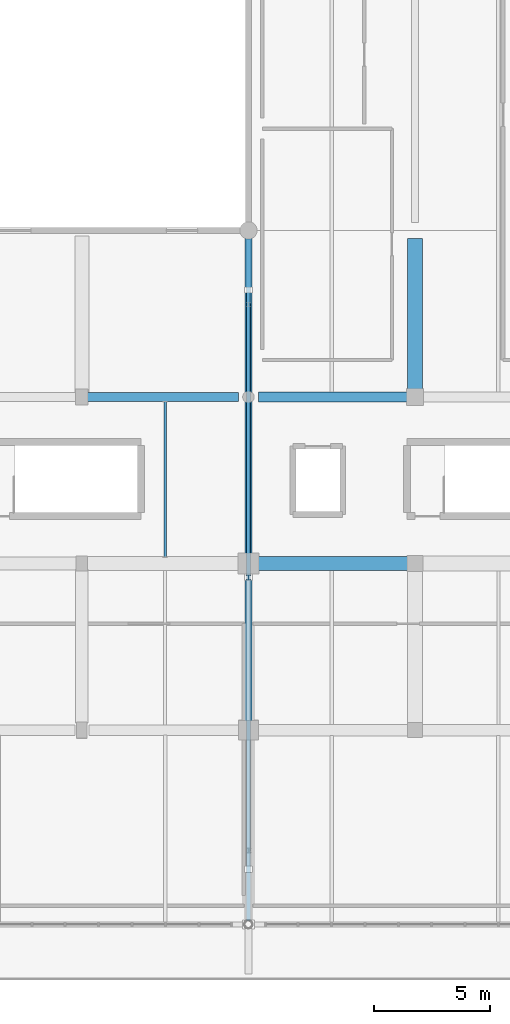
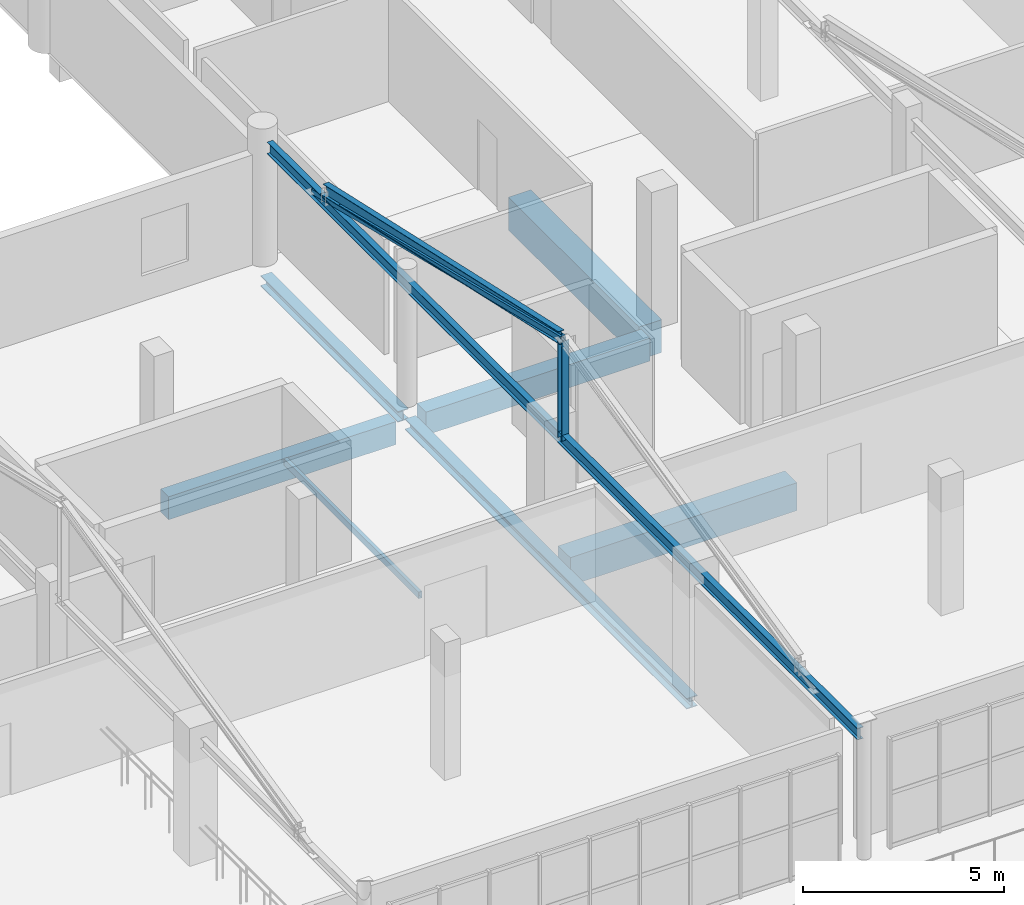
# One storey, part 13 of 41: 9 beams, 2 members.
"""IFC4 building model written with IfcOpenShell, lengths in metres."""

from ifc_helpers import new_model, si_unit, direction, frame, origin, origin_2d, place, context, subcontext, project, spatial, rectangle, hollow_rectangle, i_section, extrude, material, material_profile, profile_set, type_object, element, save


model = new_model("IFC4")

# Units and contexts
model_context = context("Model", 3, precision=1e-05, world=origin(), true_north=direction((0.0, 1.0)))
body_context = subcontext(model_context, "Body", "Model", "MODEL_VIEW")
ifc_project = project(units=[si_unit("LENGTHUNIT", "METRE"), si_unit("AREAUNIT", "SQUARE_METRE"), si_unit("VOLUMEUNIT", "CUBIC_METRE"), si_unit("PLANEANGLEUNIT", "RADIAN"), si_unit("MASSUNIT", "GRAM", prefix="KILO")], contexts=[model_context])

# Site, building, storey
site_placement = place(None, origin())
site = spatial("IfcSite", under=ifc_project, at=site_placement, CompositionType="ELEMENT")
building_placement = place(site_placement, origin())
building = spatial("IfcBuilding", under=site, at=building_placement, Name="Solanera Park Tramway Depot", CompositionType="ELEMENT")
storey_placement = place(building_placement, frame((0.0, 0.0, 13.199951171875)))
storey = spatial("IfcBuildingStorey", under=building, at=storey_placement, Name="L03", CompositionType="ELEMENT", Elevation=13.199951171875)

# Beams
ifc_material_1 = material(Name="Concrete N40 (C40/50)", Category="concrete")
ifc_material_profile_1 = material_profile(ifc_material_1, rectangle(XDim=0.39990234375, YDim=0.699951171875, at=origin_2d()), Name="RCB 400x700")
ifc_profile_set_1 = profile_set([ifc_material_profile_1], Name="Concrete N40 (C40/50)")
beam_type_1 = type_object("IfcBeamType", Name="RC Floor Beam RCB 400x700", PredefinedType="BEAM", material=ifc_profile_set_1)
beam_1_placement = place(storey_placement, frame((158.625, 25.199951171875, -0.678955078125), z_axis=(1.0, 0.0, 0.0), x_axis=(0.0, 1.0, 0.0)))
element("IfcBeam", 1, at=beam_1_placement, inside=storey, type_object=beam_type_1, Name="L03 Primary X-Girder RCB 400x700 #0231", PredefinedType="BEAM", context=body_context, shape_type="SweptSolid", body=[
    extrude(rectangle(XDim=0.39990234375, YDim=0.699951171875, at=origin_2d()), origin(), (0.0, 0.0, 1.0), 6.550048828125),
])
ifc_material_2 = material(Name="Concrete N40 (C40/50)", Category="concrete")
ifc_material_profile_2 = material_profile(ifc_material_2, rectangle(XDim=0.449951171875, YDim=0.699951171875, at=origin_2d()), Name="RCB 450x700")
ifc_profile_set_2 = profile_set([ifc_material_profile_2], Name="Concrete N40 (C40/50)")
beam_type_2 = type_object("IfcBeamType", Name="RC Floor Beam RCB 450x700", PredefinedType="BEAM", material=ifc_profile_set_2)
beam_2_placement = place(storey_placement, frame((166.02490234375, 25.199951171875, -0.678955078125), z_axis=(1.0, 0.0, 0.0), x_axis=(0.0, 1.0, 0.0)))
element("IfcBeam", 2, at=beam_2_placement, inside=storey, type_object=beam_type_2, Name="L03 Primary X-Girder RCB 450x700 #0232", PredefinedType="BEAM", context=body_context, shape_type="SweptSolid", body=[
    extrude(rectangle(XDim=0.449951171875, YDim=0.699951171875, at=origin_2d()), origin(), (0.0, 0.0, 1.0), 6.4501953125),
])
ifc_material_3 = material(Name="Concrete N40 (C40/50)", Category="concrete")
ifc_material_profile_3 = material_profile(ifc_material_3, rectangle(XDim=0.60009765625, YDim=0.85009765625, at=origin_2d()), Name="RCB 600x850")
ifc_profile_set_3 = profile_set([ifc_material_profile_3], Name="Concrete N40 (C40/50)")
beam_type_3 = type_object("IfcBeamType", Name="RC Floor Beam RCB 600x850", PredefinedType="BEAM", material=ifc_profile_set_3)
beam_3_placement = place(storey_placement, frame((165.97509765625, 18.0, -0.75390625), z_axis=(1.0, 0.0, 0.0), x_axis=(0.0, 1.0, 0.0)))
element("IfcBeam", 3, at=beam_3_placement, inside=storey, type_object=beam_type_3, Name="L03 Primary X-Girder RCB 600x850 #0221", PredefinedType="BEAM", context=body_context, shape_type="SweptSolid", body=[
    extrude(rectangle(XDim=0.60009765625, YDim=0.85009765625, at=origin_2d()), origin(), (0.0, 0.0, 1.0), 6.52490234375),
])
ifc_material_4 = material(Name="Concrete N40 (C40/50)", Category="concrete")
ifc_material_profile_4 = material_profile(ifc_material_4, rectangle(XDim=0.64990234375, YDim=1.0, at=origin_2d()), Name="RCB 650x1000")
ifc_profile_set_4 = profile_set([ifc_material_profile_4], Name="Concrete N40 (C40/50)")
beam_type_4 = type_object("IfcBeamType", Name="RC Floor Beam RCB 650x1000", PredefinedType="BEAM", material=ifc_profile_set_4)
beam_4_placement = place(storey_placement, frame((172.800048828125, 25.52490234375, -0.828857421875), z_axis=(0.0, 1.0, 0.0), x_axis=(-1.0, 0.0, 0.0)))
element("IfcBeam", 4, at=beam_4_placement, inside=storey, type_object=beam_type_4, Name="L03 Primary Y-Girder RCB 650x1000 #0245", PredefinedType="BEAM", context=body_context, shape_type="SweptSolid", body=[
    extrude(rectangle(XDim=0.64990234375, YDim=1.0, at=origin_2d()), origin(), (0.0, 0.0, 1.0), 6.525146484375),
])

# Member
ifc_material_5 = material(Name="Steel AS/NZS 3679.1 Grade 350", Category="steel")
ifc_material_profile_5 = material_profile(ifc_material_5, i_section(OverallWidth=0.205078125, OverallDepth=0.209716796875, WebThickness=0.00927734375, FlangeThickness=0.01416015625, at=origin_2d()), Name="200UC59.5")
ifc_profile_set_5 = profile_set([ifc_material_profile_5], Name="Steel AS/NZS 3679.1 Grade 350")
member_type_1 = type_object("IfcMemberType", Name="Roof Gantry Compression Strut 200UC59.5", PredefinedType="STRUT", material=ifc_profile_set_5)
member_1_placement = place(storey_placement, frame((165.60009765625, 17.39990234375, 3.622314453125), z_axis=(0.0, 0.0, 1.0), x_axis=(1.0, 0.0, 0.0)))
element("IfcMember", 5, at=member_1_placement, inside=storey, type_object=member_type_1, Name="Hip ROOF TRUSS King Post #0133", PredefinedType="STRUT", context=body_context, shape_type="SweptSolid", body=[
    extrude(i_section(OverallWidth=0.205078125, OverallDepth=0.209716796875, WebThickness=0.00927734375, FlangeThickness=0.01416015625, at=origin_2d()), origin(), (0.0, 0.0, 1.0), 3.037109375),
])

# Beams
ifc_material_6 = material(Name="Steel AS/NZS 3679.1 Grade 350", Category="steel")
ifc_material_profile_6 = material_profile(ifc_material_6, i_section(OverallWidth=0.310546875, OverallDepth=0.3271484375, WebThickness=0.015625, FlangeThickness=0.02490234375, at=origin_2d()), Name="310UC158")
ifc_profile_set_6 = profile_set([ifc_material_profile_6], Name="Steel AS/NZS 3679.1 Grade 350")
beam_type_5 = type_object("IfcBeamType", Name="Steel Beam 310UC158", PredefinedType="BEAM", material=ifc_profile_set_6)
beam_5_placement = place(storey_placement, frame((165.60009765625, 10.97998046875, -0.52001953125), z_axis=(0.0, 1.0, 0.0), x_axis=(-1.0, 0.0, 0.0)))
element("IfcBeam", 6, at=beam_5_placement, inside=storey, type_object=beam_type_5, Name="L03 Transfer Truss Backspan Chord 310UC158 #0336", PredefinedType="BEAM", context=body_context, shape_type="SweptSolid", body=[
    extrude(i_section(OverallWidth=0.310546875, OverallDepth=0.3271484375, WebThickness=0.015625, FlangeThickness=0.02490234375, at=origin_2d()), origin(), (0.0, 0.0, 1.0), 14.0400390625),
])
beam_6_placement = place(storey_placement, frame((165.60009765625, 25.3798828125, -0.52001953125), z_axis=(0.0, 1.0, 0.0), x_axis=(-1.0, 0.0, 0.0)))
element("IfcBeam", 7, at=beam_6_placement, inside=storey, type_object=beam_type_5, Name="L03 Transfer Truss Backspan Chord 310UC158 #0337", PredefinedType="BEAM", context=body_context, shape_type="SweptSolid", body=[
    extrude(i_section(OverallWidth=0.310546875, OverallDepth=0.3271484375, WebThickness=0.015625, FlangeThickness=0.02490234375, at=origin_2d()), origin(), (0.0, 0.0, 1.0), 6.840087890625),
])
ifc_material_7 = material(Name="Steel AS/NZS 3679.1 Grade 350", Category="steel")
ifc_material_profile_7 = material_profile(ifc_material_7, i_section(OverallWidth=0.17138671875, OverallDepth=0.355712890625, WebThickness=0.00732421875, FlangeThickness=0.011474609375, at=origin_2d()), Name="360UB50.7")
ifc_profile_set_7 = profile_set([ifc_material_profile_7], Name="Steel AS/NZS 3679.1 Grade 350")
beam_type_6 = type_object("IfcBeamType", Name="Steel Beam 360UB50.7", PredefinedType="BEAM", material=ifc_profile_set_7)
beam_7_placement = place(storey_placement, frame((165.60009765625, 2.580078125, 3.622314453125), z_axis=(0.0, 1.0, 0.0), x_axis=(-1.0, 0.0, 0.0)))
element("IfcBeam", 8, at=beam_7_placement, inside=storey, type_object=beam_type_6, Name="L03 Hip ROOF TRUSS Tie 360UB50.7 #1071", PredefinedType="BEAM", context=body_context, shape_type="SweptSolid", body=[
    extrude(i_section(OverallWidth=0.17138671875, OverallDepth=0.355712890625, WebThickness=0.00732421875, FlangeThickness=0.011474609375, at=origin_2d()), origin(), (0.0, 0.0, 1.0), 29.44482421875),
])
beam_8_placement = place(storey_placement, frame((165.60009765625, 17.4599609375, 6.659423828125), z_axis=(0.0, 0.97596304979, -0.217936058158), x_axis=(-1.0, 0.0, 0.0)))
element("IfcBeam", 9, at=beam_8_placement, inside=storey, type_object=beam_type_6, Name="L03 Hip ROOF TRUSS Rafter 360UB50.7 #1073", PredefinedType="BEAM", context=body_context, shape_type="SweptSolid", body=[
    extrude(i_section(OverallWidth=0.17138671875, OverallDepth=0.355712890625, WebThickness=0.00732421875, FlangeThickness=0.011474609375, at=origin_2d()), origin(), (0.0, 0.0, 1.0), 12.029052734375),
])
ifc_material_8 = material(Name="Steel AS/NZS 1163 Grade C350L0", Category="steel")
ifc_material_profile_8 = material_profile(ifc_material_8, hollow_rectangle(XDim=0.10009765625, YDim=0.199951171875, WallThickness=0.006103515625, at=origin_2d()), Name="200x100x6.0 RHS")
ifc_profile_set_8 = profile_set([ifc_material_profile_8], Name="Steel AS/NZS 1163 Grade C350L0")
beam_type_7 = type_object("IfcBeamType", Name="Steel Joist Purlin 200x100x6.0 RHS", PredefinedType="JOIST", material=ifc_profile_set_8)
beam_9_placement = place(storey_placement, frame((162.0, 18.2919921875, -0.428955078125), z_axis=(0.0, 1.0, 0.0), x_axis=(-1.0, 0.0, 0.0)))
element("IfcBeam", 10, at=beam_9_placement, inside=storey, type_object=beam_type_7, Name="L03 Secondary Floor Joist 200x100x6.0 RHS #0275", PredefinedType="JOIST", context=body_context, shape_type="SweptSolid", body=[
    extrude(hollow_rectangle(XDim=0.10009765625, YDim=0.199951171875, WallThickness=0.006103515625, at=origin_2d()), origin(), (0.0, 0.0, 1.0), 6.716064453125),
])

# Member
ifc_material_9 = material(Name="Steel AS/NZS 1163 Grade C350L0", Category="steel")
ifc_material_profile_9 = material_profile(ifc_material_9, hollow_rectangle(XDim=0.14990234375, YDim=0.14990234375, WallThickness=0.006103515625, at=origin_2d()), Name="150x150x6.0 SHS")
ifc_profile_set_9 = profile_set([ifc_material_profile_9], Name="Steel AS/NZS 1163 Grade C350L0")
member_type_2 = type_object("IfcMemberType", Name="Truss and Frame Brace 150x150x6.0 SHS", PredefinedType="BRACE", material=ifc_profile_set_9)
member_2_placement = place(storey_placement, frame((165.60009765625, 29.824951171875, 3.622314453125), z_axis=(0.0, -0.971401256706, 0.237443884885), x_axis=(1.0, 0.0, 0.0)))
element("IfcMember", 11, at=member_2_placement, inside=storey, type_object=member_type_2, Name="Hip ROOF TRUSS Web #0456", PredefinedType="BRACE", context=body_context, shape_type="SweptSolid", body=[
    extrude(hollow_rectangle(XDim=0.14990234375, YDim=0.14990234375, WallThickness=0.006103515625, at=origin_2d()), origin(), (0.0, 0.0, 1.0), 12.790771484375),
])

save(model, "model.ifc")
